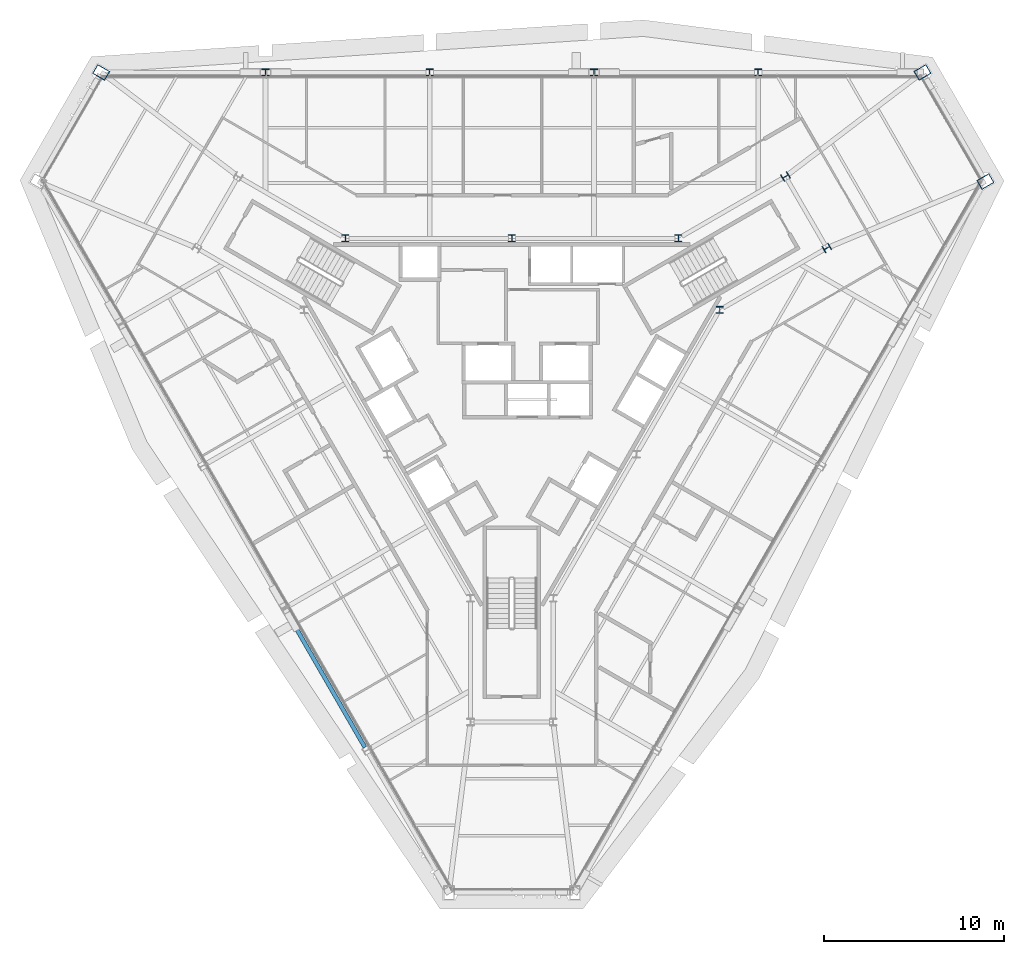
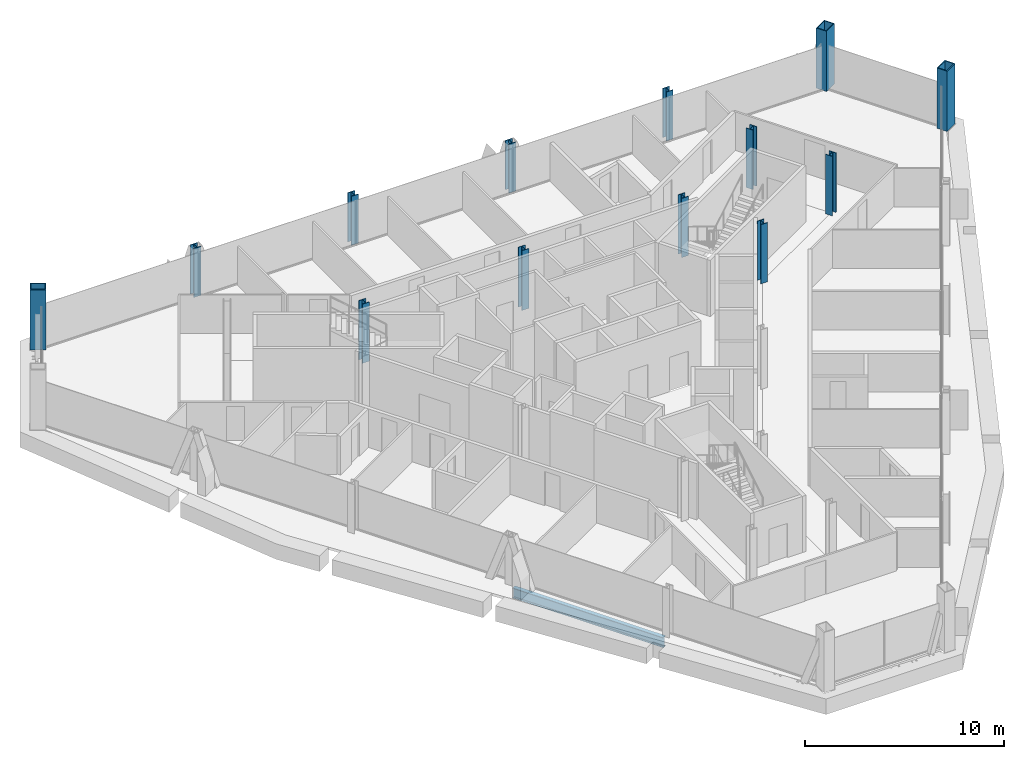
# One storey, part 2 of 15: 13 columns, 1 beam.
"""IFC4 building model written with IfcOpenShell, lengths in metres."""

import ifcopenshell
import ifcopenshell.guid

model = None  # the IFC model being written
_history = None  # IfcOwnerHistory: only IFC2X3 demands one
_inside = {}  # id of a spatial element -> (the spatial element, [elements in it])
_under = {}  # id of a project, library or spatial element -> (it, [spatial elements below it])
_declared = {}  # id of a project -> (the project, [libraries it declares])
_typed = {}  # id of a type object -> (the type object, [elements of that type])
_made_of = {}  # id of a material, layer set ... -> (it, [elements and type objects made of it])


def new_model(schema):
    """Start an empty IFC model of exactly this schema.

    Asked for "IFC4X3", IfcOpenShell would pick the latest addendum, in which some entities
    have other attributes; the version numbers below select the first issue.
    IFC2X3 requires an IfcOwnerHistory on every rooted entity: one is made here for all.
    """
    global model, _history
    if schema == "IFC4X3":
        model = ifcopenshell.file(schema_version=(4, 3, 0, 0))
    else:
        model = ifcopenshell.file(schema=schema)
    _inside.clear()
    _under.clear()
    _declared.clear()
    _typed.clear()
    _made_of.clear()
    _history = None
    if model.schema == "IFC2X3":
        org = make("IfcOrganization", Name="unknown")
        user = make(
            "IfcPersonAndOrganization",
            ThePerson=make("IfcPerson", FamilyName="unknown"),
            TheOrganization=org,
        )
        app = make(
            "IfcApplication",
            ApplicationDeveloper=org,
            Version="unknown",
            ApplicationFullName="unknown",
            ApplicationIdentifier="unknown",
        )
        _history = make(
            "IfcOwnerHistory",
            OwningUser=user,
            OwningApplication=app,
            ChangeAction="ADDED",
            CreationDate=0,
        )
    return model


def make(cls, **values):
    """One entity of the class cls with the attributes given. An attribute that is None is left unset."""
    return model.create_entity(
        cls, **{name: value for name, value in values.items() if value is not None}
    )


def rooted(cls, **values):
    """An entity with a GlobalId (a new one), such as an element, a storey or a relation."""
    return make(cls, GlobalId=ifcopenshell.guid.new(), OwnerHistory=_history, **values)


def si_unit(unit_type, name, prefix=None):
    """IfcSIUnit, for example si_unit("LENGTHUNIT", "METRE", prefix="MILLI")."""
    return make("IfcSIUnit", UnitType=unit_type, Prefix=prefix, Name=name)


def assignment(units):
    """IfcUnitAssignment: the units of a project."""
    return None if units is None else make("IfcUnitAssignment", Units=units)


def point(xyz):
    """IfcCartesianPoint."""
    return None if xyz is None else make("IfcCartesianPoint", Coordinates=xyz)


def direction(xyz):
    """IfcDirection."""
    return None if xyz is None else make("IfcDirection", DirectionRatios=xyz)


def frame(location, z_axis=None, x_axis=None):
    """IfcAxis2Placement3D, a coordinate frame: its origin and axes. An axis left out is left unset."""
    return make(
        "IfcAxis2Placement3D",
        Location=point(location),
        Axis=direction(z_axis),
        RefDirection=direction(x_axis),
    )


def frame_2d(location, x_axis=None):
    """IfcAxis2Placement2D, a coordinate frame in the plane: its origin and x axis."""
    return make(
        "IfcAxis2Placement2D", Location=point(location), RefDirection=direction(x_axis)
    )


def origin():
    """The frame at (0, 0, 0) with its axes left unset."""
    return frame((0.0, 0.0, 0.0))


def origin_2d():
    """The frame at (0, 0) in the plane with its x axis left unset."""
    return frame_2d((0.0, 0.0))


def place(relative_to, where):
    """IfcLocalPlacement: puts the frame where relative to a parent placement (None: the world)."""
    return make(
        "IfcLocalPlacement", PlacementRelTo=relative_to, RelativePlacement=where
    )


def context(
    kind, dimensions, precision=None, world=None, true_north=None, identifier=None
):
    """IfcGeometricRepresentationContext, for example the 3D "Model" context."""
    return make(
        "IfcGeometricRepresentationContext",
        ContextIdentifier=identifier,
        ContextType=kind,
        CoordinateSpaceDimension=dimensions,
        Precision=precision,
        WorldCoordinateSystem=world,
        TrueNorth=true_north,
    )


def subcontext(parent, identifier, kind, view, scale=None):
    """IfcGeometricRepresentationSubContext, for example "Body" below "Model"."""
    return make(
        "IfcGeometricRepresentationSubContext",
        ContextIdentifier=identifier,
        ContextType=kind,
        ParentContext=parent,
        TargetScale=scale,
        TargetView=view,
    )


def project(units=None, contexts=None):
    """IfcProject with its units and contexts."""
    return rooted(
        "IfcProject",
        Name="project",
        RepresentationContexts=contexts,
        UnitsInContext=assignment(units),
    )


def spatial(cls, under=None, at=None, **own):
    """A site, building, storey or space (cls), placed at a placement, below another one or the project."""
    s = rooted(cls, ObjectPlacement=at, **own)
    if under is not None:
        _under.setdefault(under.id(), (under, []))[1].append(s)
    return s


def profile(cls, at=None, kind="AREA", **sizes):
    """A parametric profile (cls). Its sizes go by their IFC names, for example OverallWidth=200.0."""
    return make(cls, ProfileType=kind, Position=at, **sizes)


def hollow_rectangle(**sizes):
    """IfcRectangleHollowProfileDef."""
    return profile("IfcRectangleHollowProfileDef", **sizes)


def i_section(**sizes):
    """IfcIShapeProfileDef."""
    return profile("IfcIShapeProfileDef", **sizes)


def extrude(swept, where, along, depth):
    """IfcExtrudedAreaSolid: the profile swept, set in the frame where, extruded along a direction by depth."""
    return make(
        "IfcExtrudedAreaSolid",
        SweptArea=swept,
        Position=where,
        ExtrudedDirection=direction(along),
        Depth=depth,
    )


def shape(context_of_items, identifier, shape_type, items):
    """IfcShapeRepresentation: the items that make up one representation, for example the "Body"."""
    return make(
        "IfcShapeRepresentation",
        ContextOfItems=context_of_items,
        RepresentationIdentifier=identifier,
        RepresentationType=shape_type,
        Items=items,
    )


def material(Name=None, Category=None):
    """IfcMaterial."""
    return make("IfcMaterial", Name=Name, Category=Category)


def material_profile(
    of_material, cross_section, Name=None, Category=None, Priority=None
):
    """IfcMaterialProfile: a cross section and its material."""
    return make(
        "IfcMaterialProfile",
        Name=Name,
        Material=of_material,
        Profile=cross_section,
        Priority=Priority,
        Category=Category,
    )


def profile_set(profiles, Name=None, composite=None):
    """IfcMaterialProfileSet."""
    return make(
        "IfcMaterialProfileSet",
        Name=Name,
        MaterialProfiles=profiles,
        CompositeProfile=composite,
    )


def made_of(thing, what):
    """Note that an element or type object is made of a material, layer set ...; save() writes the relation."""
    if what is not None:
        _made_of.setdefault(what.id(), (what, []))[1].append(thing)
    return thing


def type_object(cls, material=None, **own):
    """A type object (cls), such as IfcWallType, which elements share."""
    return made_of(rooted(cls, **own), material)


def element(
    cls,
    number,
    at=None,
    inside=None,
    cuts=None,
    type_object=None,
    material=None,
    context=None,
    identifier="Body",
    shape_type=None,
    held_by="IfcProductDefinitionShape",
    body=None,
    shapes=None,
    **own,
):
    """One element of the class cls, such as IfcWall. Its Tag is "e" and its number.

    at: its placement. inside: the storey or other place that contains it. cuts: it is an
    opening in that element (IfcRelVoidsElement). A single representation is given by context,
    identifier, shape_type and body (its items); several are given by shapes. held_by: the class
    of the entity that holds the representations. save() writes the other relations.
    """
    e = rooted(cls, Tag="e%d" % number, ObjectPlacement=at, **own)
    if body is not None:
        shapes = [shape(context, identifier, shape_type, body)]
    if shapes is not None:
        e.Representation = make(held_by, Representations=shapes)
    if inside is not None:
        _inside.setdefault(inside.id(), (inside, []))[1].append(e)
    if cuts is not None:
        rooted(
            "IfcRelVoidsElement", RelatingBuildingElement=cuts, RelatedOpeningElement=e
        )
    if type_object is not None:
        _typed.setdefault(type_object.id(), (type_object, []))[1].append(e)
    return made_of(e, material)


def aggregate(whole, parts):
    """IfcRelAggregates: a whole, such as a stair, and the parts it consists of."""
    return rooted("IfcRelAggregates", RelatingObject=whole, RelatedObjects=parts)


def save(model, path):
    """Write the relations noted so far, then the file.

    IfcRelAggregates (storeys below a building ...), IfcRelContainedInSpatialStructure (elements
    in a storey), IfcRelDefinesByType, IfcRelAssociatesMaterial and IfcRelDeclares: one each for
    every whole, place, type object, material and project.
    """
    for whole, parts in _under.values():
        aggregate(whole, parts)
    for where, things in _inside.values():
        rooted(
            "IfcRelContainedInSpatialStructure",
            RelatedElements=things,
            RelatingStructure=where,
        )
    for kind, things in _typed.values():
        rooted("IfcRelDefinesByType", RelatedObjects=things, RelatingType=kind)
    for what, things in _made_of.values():
        rooted("IfcRelAssociatesMaterial", RelatedObjects=things, RelatingMaterial=what)
    for by, libraries in _declared.values():
        rooted("IfcRelDeclares", RelatingContext=by, RelatedDefinitions=libraries)
    model.write(path)


model = new_model("IFC4")

# Units and contexts
model_context = context("Model", 3, precision=1e-05, world=origin(), true_north=direction((0.0, 1.0)))
body_context = subcontext(model_context, "Body", "Model", "MODEL_VIEW")
ifc_project = project(units=[si_unit("LENGTHUNIT", "METRE"), si_unit("AREAUNIT", "SQUARE_METRE"), si_unit("VOLUMEUNIT", "CUBIC_METRE"), si_unit("PLANEANGLEUNIT", "RADIAN"), si_unit("MASSUNIT", "GRAM", prefix="KILO")], contexts=[model_context])

# Site, building, storey
site_placement = place(None, origin())
site = spatial("IfcSite", under=ifc_project, at=site_placement, CompositionType="ELEMENT")
building_placement = place(site_placement, origin())
building = spatial("IfcBuilding", under=site, at=building_placement, Name="Verrane Prism Tower", CompositionType="ELEMENT")
storey_placement = place(building_placement, frame((0.0, 0.0, 254.5)))
storey = spatial("IfcBuildingStorey", under=building, at=storey_placement, Name="L64", CompositionType="ELEMENT", Elevation=254.5)

# Columns
ifc_material_1 = material(Name="Steel A992", Category="steel")
ifc_material_profile_1 = material_profile(ifc_material_1, i_section(OverallWidth=0.4013671875, OverallDepth=0.398681640625, WebThickness=0.02490234375, FlangeThickness=0.03955078125, FilletRadius=0.01513671875, at=origin_2d()), Name="W14x211")
ifc_profile_set_1 = profile_set([ifc_material_profile_1], Name="Steel A992")
column_type_1 = type_object("IfcColumnType", Name="Core corner column W14x211", PredefinedType="COLUMN", material=ifc_profile_set_1)
for number, where, z_axis, x_axis, name in (
    (1, (17.52001953125, 7.4599609375, 0.0), (0.0, 0.0, 1.0), (0.5, -0.866025403784, 0.0), "Core corner column CK-NEm L64"),
    (2, (15.219970703125, 11.43994140625, 0.0), (0.0, 0.0, 1.0), (0.5, -0.866025403784, 0.0), "Core corner column CK-NEp L64"),
):
    element("IfcColumn", number, at=place(storey_placement, frame(where, z_axis=z_axis, x_axis=x_axis)), inside=storey, type_object=column_type_1, Name=name, PredefinedType="COLUMN", context=body_context, shape_type="SweptSolid", body=[
        extrude(i_section(OverallWidth=0.4013671875, OverallDepth=0.398681640625, WebThickness=0.02490234375, FlangeThickness=0.03955078125, FilletRadius=0.01513671875, at=origin_2d()), origin(), (0.0, 0.0, 1.0), 3.64990234375),
    ])
ifc_material_2 = material(Name="Steel A992", Category="steel")
ifc_material_profile_2 = material_profile(ifc_material_2, i_section(OverallWidth=0.398681640625, OverallDepth=0.385986328125, WebThickness=0.02099609375, FlangeThickness=0.033203125, FilletRadius=0.01513671875, at=origin_2d()), Name="W14x176")
ifc_profile_set_2 = profile_set([ifc_material_profile_2], Name="Steel A992")
column_type_2 = type_object("IfcColumnType", Name="Core side column W14x176", PredefinedType="COLUMN", material=ifc_profile_set_2)
for number, where, z_axis, x_axis, name in (
    (3, (11.56005859375, 4.02001953125, 0.0), (0.0, 0.0, 1.0), (1.0, 0.0, 0.0), "Core side column CC-NEm L64"),
    (4, (9.260009765625, 8.0, 0.0), (0.0, 0.0, 1.0), (1.0, 0.0, 0.0), "Core side column CC-NEp L64"),
):
    element("IfcColumn", number, at=place(storey_placement, frame(where, z_axis=z_axis, x_axis=x_axis)), inside=storey, type_object=column_type_2, Name=name, PredefinedType="COLUMN", context=body_context, shape_type="SweptSolid", body=[
        extrude(i_section(OverallWidth=0.398681640625, OverallDepth=0.385986328125, WebThickness=0.02099609375, FlangeThickness=0.033203125, FilletRadius=0.01513671875, at=origin_2d()), origin(), (0.0, 0.0, 1.0), 3.635009765625),
    ])
column_1_placement = place(storey_placement, frame((0.0, 8.0, 0.0), z_axis=(0.0, 0.0, 1.0), x_axis=(1.0, 0.0, 0.0)))
element("IfcColumn", 5, at=column_1_placement, inside=storey, type_object=column_type_2, Name="Core side column CC-N0 L64", PredefinedType="COLUMN", context=body_context, shape_type="SweptSolid", body=[
    extrude(i_section(OverallWidth=0.398681640625, OverallDepth=0.385986328125, WebThickness=0.02099609375, FlangeThickness=0.033203125, FilletRadius=0.01513671875, at=origin_2d()), origin(), (0.0, 0.0, 1.0), 3.669921875),
])
column_2_placement = place(storey_placement, frame((-9.260009765625, 8.0, 0.0), z_axis=(0.0, 0.0, 1.0), x_axis=(1.0, 0.0, 0.0)))
element("IfcColumn", 6, at=column_2_placement, inside=storey, type_object=column_type_2, Name="Core side column CC-NWm L64", PredefinedType="COLUMN", context=body_context, shape_type="SweptSolid", body=[
    extrude(i_section(OverallWidth=0.398681640625, OverallDepth=0.385986328125, WebThickness=0.02099609375, FlangeThickness=0.033203125, FilletRadius=0.01513671875, at=origin_2d()), origin(), (0.0, 0.0, 1.0), 3.635009765625),
])
ifc_material_3 = material(Name="Steel A572 Grade 50", Category="steel")
ifc_material_profile_3 = material_profile(ifc_material_3, hollow_rectangle(XDim=0.60009765625, YDim=0.800048828125, WallThickness=0.050048828125, at=origin_2d()), Name="BOX 800x600x50")
ifc_profile_set_3 = profile_set([ifc_material_profile_3], Name="Steel A572 Grade 50")
column_type_3 = type_object("IfcColumnType", Name="Megacolumn BOX 800x600x50", PredefinedType="COLUMN", material=ifc_profile_set_3)
for number, where, z_axis, x_axis, name in (
    (7, (22.840087890625, 17.22998046875, 0.0), (0.0, 0.0, 1.0), (0.5, -0.866025403784, 0.0), "Megacolumn MC-NE.b L64"),
    (8, (-22.840087890625, 17.22998046875, 0.0), (0.0, 0.0, 1.0), (0.5, 0.866025403784, 0.0), "Megacolumn MC-NW.a L64"),
    (9, (26.340087890625, 11.159912109375, 0.0), (0.0, 0.0, 1.0), (0.5, -0.866025403784, 0.0), "Megacolumn MC-NE.a L64"),
):
    element("IfcColumn", number, at=place(storey_placement, frame(where, z_axis=z_axis, x_axis=x_axis)), inside=storey, type_object=column_type_3, Name=name, PredefinedType="COLUMN", context=body_context, shape_type="SweptSolid", body=[
        extrude(hollow_rectangle(XDim=0.60009765625, YDim=0.800048828125, WallThickness=0.050048828125, at=origin_2d()), origin(), (0.0, 0.0, 1.0), 3.699951171875),
    ])
ifc_material_4 = material(Name="Steel A992", Category="steel")
ifc_material_profile_4 = material_profile(ifc_material_4, i_section(OverallWidth=0.398681640625, OverallDepth=0.385986328125, WebThickness=0.02099609375, FlangeThickness=0.033203125, FilletRadius=0.01513671875, at=origin_2d()), Name="W14x176")
ifc_profile_set_4 = profile_set([ifc_material_profile_4], Name="Steel A992")
column_type_4 = type_object("IfcColumnType", Name="Perimeter column W14x176", PredefinedType="COLUMN", material=ifc_profile_set_4)
for number, where, z_axis, x_axis, name in (
    (10, (13.699951171875, 17.22998046875, 0.0), (0.0, 0.0, 1.0), (1.0, 0.0, 0.0), "Perimeter column PC-N1 L64"),
    (11, (4.570068359375, 17.22998046875, 0.0), (0.0, 0.0, 1.0), (1.0, 0.0, 0.0), "Perimeter column PC-N2 L64"),
    (12, (-4.570068359375, 17.22998046875, 0.0), (0.0, 0.0, 1.0), (1.0, 0.0, 0.0), "Perimeter column PC-N3 L64"),
    (13, (-13.699951171875, 17.22998046875, 0.0), (0.0, 0.0, 1.0), (1.0, 0.0, 0.0), "Perimeter column PC-N4 L64"),
):
    element("IfcColumn", number, at=place(storey_placement, frame(where, z_axis=z_axis, x_axis=x_axis)), inside=storey, type_object=column_type_4, Name=name, PredefinedType="COLUMN", context=body_context, shape_type="SweptSolid", body=[
        extrude(i_section(OverallWidth=0.398681640625, OverallDepth=0.385986328125, WebThickness=0.02099609375, FlangeThickness=0.033203125, FilletRadius=0.01513671875, at=origin_2d()), origin(), (0.0, 0.0, 1.0), 3.010009765625),
    ])

# Beam
ifc_material_5 = material(Name="Steel A992", Category="steel")
ifc_material_profile_5 = material_profile(ifc_material_5, i_section(OverallWidth=0.23046875, OverallDepth=0.6171875, WebThickness=0.01318359375, FlangeThickness=0.022216796875, FilletRadius=0.012939453125, at=origin_2d()), Name="W24x94")
ifc_profile_set_5 = profile_set([ifc_material_profile_5], Name="Steel A992")
beam_type = type_object("IfcBeamType", Name="Spandrel beam W24x94", PredefinedType="SPANDREL", material=ifc_profile_set_5)
beam_placement = place(storey_placement, frame((-12.540283203125, -12.74267578125, -0.468505859375), z_axis=(0.500268286352, -0.865870453169, 0.0), x_axis=(0.865870453169, 0.500268286352, 0.0)))
element("IfcBeam", 14, at=beam_placement, inside=storey, type_object=beam_type, Name="Spandrel beam L64", PredefinedType="SPANDREL", context=body_context, shape_type="SweptSolid", body=[
    extrude(i_section(OverallWidth=0.23046875, OverallDepth=0.6171875, WebThickness=0.01318359375, FlangeThickness=0.022216796875, FilletRadius=0.012939453125, at=origin_2d()), origin(), (0.0, 0.0, 1.0), 8.736572265625),
])

save(model, "model.ifc")
